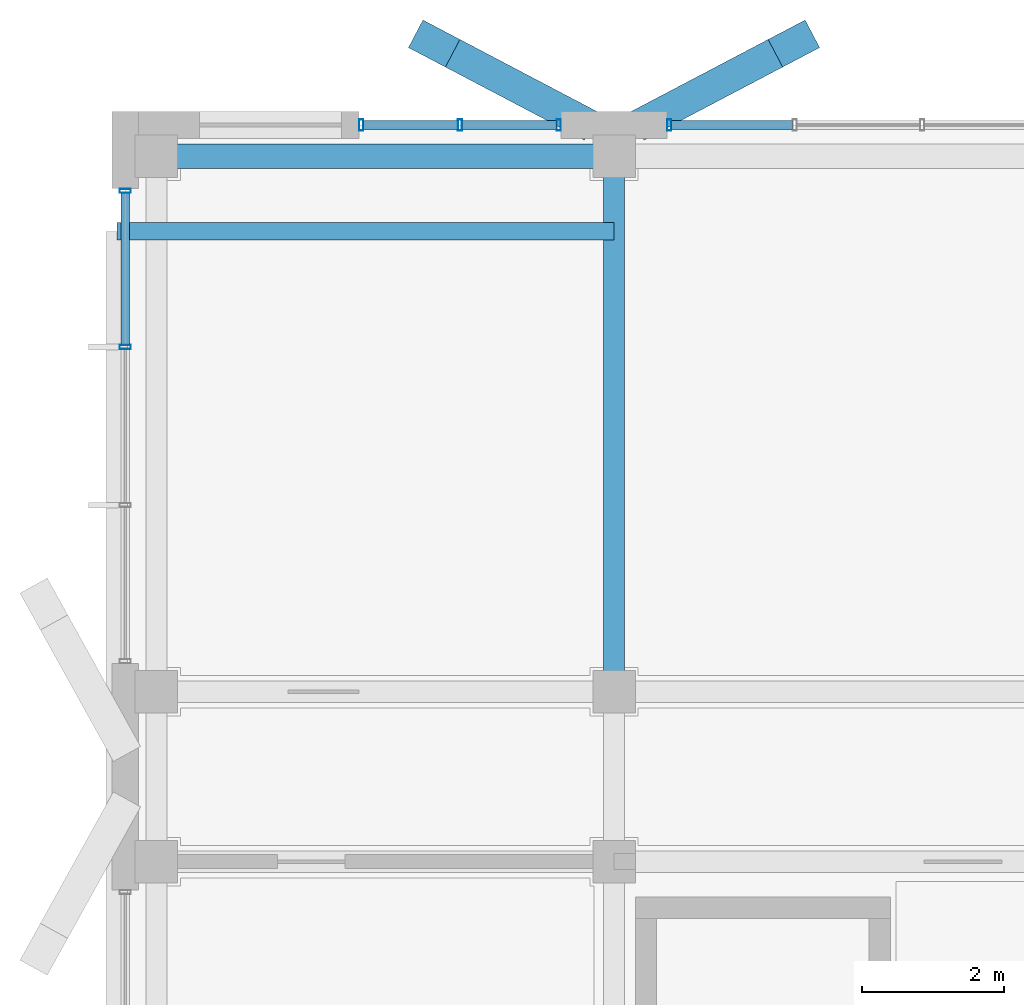
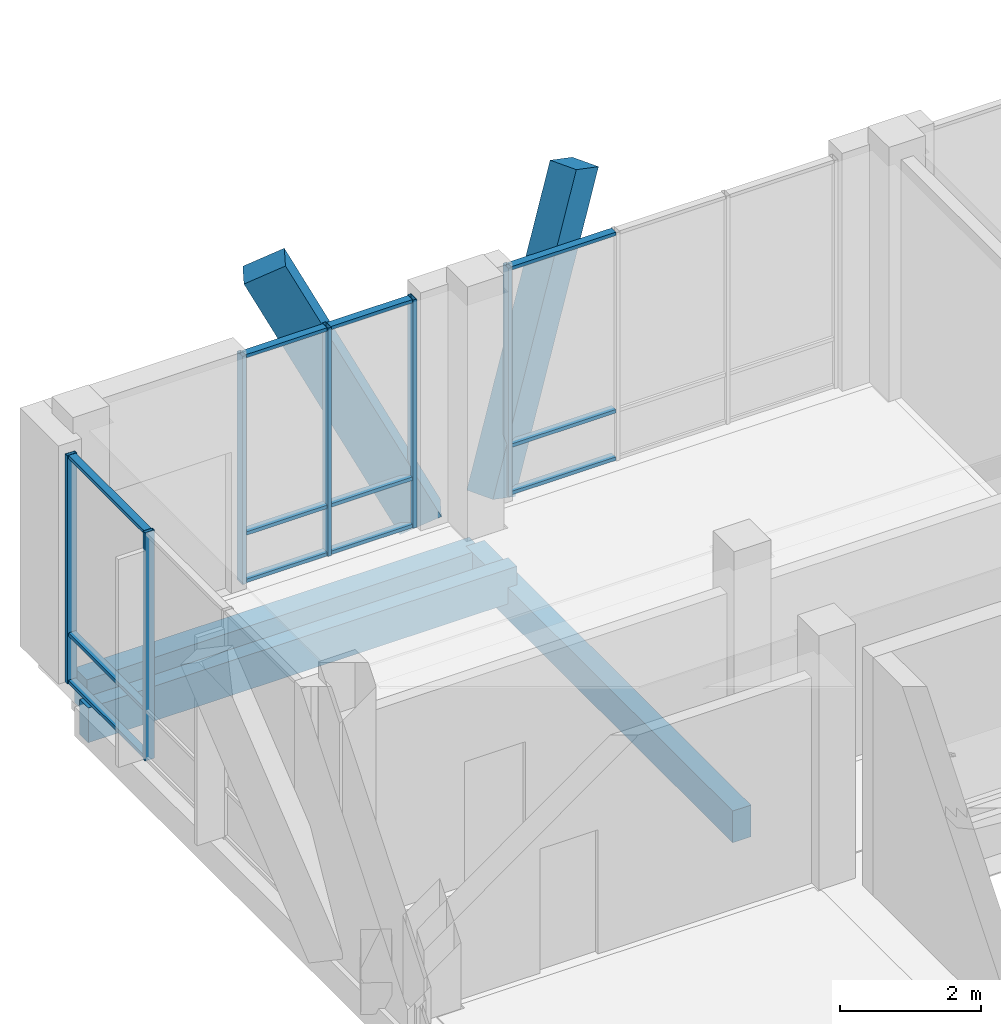
# One storey, part 105 of 233: 20 members, 3 beams, 3 elements without a shape of their own.
"""IFC4 building model written with IfcOpenShell, lengths in metres."""

import ifcopenshell
import ifcopenshell.guid

model = None  # the IFC model being written
_history = None  # IfcOwnerHistory: only IFC2X3 demands one
_inside = {}  # id of a spatial element -> (the spatial element, [elements in it])
_under = {}  # id of a project, library or spatial element -> (it, [spatial elements below it])
_declared = {}  # id of a project -> (the project, [libraries it declares])
_typed = {}  # id of a type object -> (the type object, [elements of that type])
_made_of = {}  # id of a material, layer set ... -> (it, [elements and type objects made of it])


def new_model(schema):
    """Start an empty IFC model of exactly this schema.

    Asked for "IFC4X3", IfcOpenShell would pick the latest addendum, in which some entities
    have other attributes; the version numbers below select the first issue.
    IFC2X3 requires an IfcOwnerHistory on every rooted entity: one is made here for all.
    """
    global model, _history
    if schema == "IFC4X3":
        model = ifcopenshell.file(schema_version=(4, 3, 0, 0))
    else:
        model = ifcopenshell.file(schema=schema)
    _inside.clear()
    _under.clear()
    _declared.clear()
    _typed.clear()
    _made_of.clear()
    _history = None
    if model.schema == "IFC2X3":
        org = make("IfcOrganization", Name="unknown")
        user = make(
            "IfcPersonAndOrganization",
            ThePerson=make("IfcPerson", FamilyName="unknown"),
            TheOrganization=org,
        )
        app = make(
            "IfcApplication",
            ApplicationDeveloper=org,
            Version="unknown",
            ApplicationFullName="unknown",
            ApplicationIdentifier="unknown",
        )
        _history = make(
            "IfcOwnerHistory",
            OwningUser=user,
            OwningApplication=app,
            ChangeAction="ADDED",
            CreationDate=0,
        )
    return model


def make(cls, **values):
    """One entity of the class cls with the attributes given. An attribute that is None is left unset."""
    return model.create_entity(
        cls, **{name: value for name, value in values.items() if value is not None}
    )


def rooted(cls, **values):
    """An entity with a GlobalId (a new one), such as an element, a storey or a relation."""
    return make(cls, GlobalId=ifcopenshell.guid.new(), OwnerHistory=_history, **values)


def si_unit(unit_type, name, prefix=None):
    """IfcSIUnit, for example si_unit("LENGTHUNIT", "METRE", prefix="MILLI")."""
    return make("IfcSIUnit", UnitType=unit_type, Prefix=prefix, Name=name)


def assignment(units):
    """IfcUnitAssignment: the units of a project."""
    return None if units is None else make("IfcUnitAssignment", Units=units)


def point(xyz):
    """IfcCartesianPoint."""
    return None if xyz is None else make("IfcCartesianPoint", Coordinates=xyz)


def direction(xyz):
    """IfcDirection."""
    return None if xyz is None else make("IfcDirection", DirectionRatios=xyz)


def frame(location, z_axis=None, x_axis=None):
    """IfcAxis2Placement3D, a coordinate frame: its origin and axes. An axis left out is left unset."""
    return make(
        "IfcAxis2Placement3D",
        Location=point(location),
        Axis=direction(z_axis),
        RefDirection=direction(x_axis),
    )


def frame_2d(location, x_axis=None):
    """IfcAxis2Placement2D, a coordinate frame in the plane: its origin and x axis."""
    return make(
        "IfcAxis2Placement2D", Location=point(location), RefDirection=direction(x_axis)
    )


def origin():
    """The frame at (0, 0, 0) with its axes left unset."""
    return frame((0.0, 0.0, 0.0))


def origin_2d():
    """The frame at (0, 0) in the plane with its x axis left unset."""
    return frame_2d((0.0, 0.0))


def place(relative_to, where):
    """IfcLocalPlacement: puts the frame where relative to a parent placement (None: the world)."""
    return make(
        "IfcLocalPlacement", PlacementRelTo=relative_to, RelativePlacement=where
    )


def context(
    kind, dimensions, precision=None, world=None, true_north=None, identifier=None
):
    """IfcGeometricRepresentationContext, for example the 3D "Model" context."""
    return make(
        "IfcGeometricRepresentationContext",
        ContextIdentifier=identifier,
        ContextType=kind,
        CoordinateSpaceDimension=dimensions,
        Precision=precision,
        WorldCoordinateSystem=world,
        TrueNorth=true_north,
    )


def subcontext(parent, identifier, kind, view, scale=None):
    """IfcGeometricRepresentationSubContext, for example "Body" below "Model"."""
    return make(
        "IfcGeometricRepresentationSubContext",
        ContextIdentifier=identifier,
        ContextType=kind,
        ParentContext=parent,
        TargetScale=scale,
        TargetView=view,
    )


def project(units=None, contexts=None):
    """IfcProject with its units and contexts."""
    return rooted(
        "IfcProject",
        Name="project",
        RepresentationContexts=contexts,
        UnitsInContext=assignment(units),
    )


def spatial(cls, under=None, at=None, **own):
    """A site, building, storey or space (cls), placed at a placement, below another one or the project."""
    s = rooted(cls, ObjectPlacement=at, **own)
    if under is not None:
        _under.setdefault(under.id(), (under, []))[1].append(s)
    return s


def profile(cls, at=None, kind="AREA", **sizes):
    """A parametric profile (cls). Its sizes go by their IFC names, for example OverallWidth=200.0."""
    return make(cls, ProfileType=kind, Position=at, **sizes)


def rectangle(**sizes):
    """IfcRectangleProfileDef."""
    return profile("IfcRectangleProfileDef", **sizes)


def hollow_rectangle(**sizes):
    """IfcRectangleHollowProfileDef."""
    return profile("IfcRectangleHollowProfileDef", **sizes)


def extrude(swept, where, along, depth):
    """IfcExtrudedAreaSolid: the profile swept, set in the frame where, extruded along a direction by depth."""
    return make(
        "IfcExtrudedAreaSolid",
        SweptArea=swept,
        Position=where,
        ExtrudedDirection=direction(along),
        Depth=depth,
    )


def shape(context_of_items, identifier, shape_type, items):
    """IfcShapeRepresentation: the items that make up one representation, for example the "Body"."""
    return make(
        "IfcShapeRepresentation",
        ContextOfItems=context_of_items,
        RepresentationIdentifier=identifier,
        RepresentationType=shape_type,
        Items=items,
    )


def material(Name=None, Category=None):
    """IfcMaterial."""
    return make("IfcMaterial", Name=Name, Category=Category)


def material_profile(
    of_material, cross_section, Name=None, Category=None, Priority=None
):
    """IfcMaterialProfile: a cross section and its material."""
    return make(
        "IfcMaterialProfile",
        Name=Name,
        Material=of_material,
        Profile=cross_section,
        Priority=Priority,
        Category=Category,
    )


def profile_set(profiles, Name=None, composite=None):
    """IfcMaterialProfileSet."""
    return make(
        "IfcMaterialProfileSet",
        Name=Name,
        MaterialProfiles=profiles,
        CompositeProfile=composite,
    )


def made_of(thing, what):
    """Note that an element or type object is made of a material, layer set ...; save() writes the relation."""
    if what is not None:
        _made_of.setdefault(what.id(), (what, []))[1].append(thing)
    return thing


def type_object(cls, material=None, **own):
    """A type object (cls), such as IfcWallType, which elements share."""
    return made_of(rooted(cls, **own), material)


def element(
    cls,
    number,
    at=None,
    inside=None,
    cuts=None,
    type_object=None,
    material=None,
    context=None,
    identifier="Body",
    shape_type=None,
    held_by="IfcProductDefinitionShape",
    body=None,
    shapes=None,
    **own,
):
    """One element of the class cls, such as IfcWall. Its Tag is "e" and its number.

    at: its placement. inside: the storey or other place that contains it. cuts: it is an
    opening in that element (IfcRelVoidsElement). A single representation is given by context,
    identifier, shape_type and body (its items); several are given by shapes. held_by: the class
    of the entity that holds the representations. save() writes the other relations.
    """
    e = rooted(cls, Tag="e%d" % number, ObjectPlacement=at, **own)
    if body is not None:
        shapes = [shape(context, identifier, shape_type, body)]
    if shapes is not None:
        e.Representation = make(held_by, Representations=shapes)
    if inside is not None:
        _inside.setdefault(inside.id(), (inside, []))[1].append(e)
    if cuts is not None:
        rooted(
            "IfcRelVoidsElement", RelatingBuildingElement=cuts, RelatedOpeningElement=e
        )
    if type_object is not None:
        _typed.setdefault(type_object.id(), (type_object, []))[1].append(e)
    return made_of(e, material)


def aggregate(whole, parts):
    """IfcRelAggregates: a whole, such as a stair, and the parts it consists of."""
    return rooted("IfcRelAggregates", RelatingObject=whole, RelatedObjects=parts)


def save(model, path):
    """Write the relations noted so far, then the file.

    IfcRelAggregates (storeys below a building ...), IfcRelContainedInSpatialStructure (elements
    in a storey), IfcRelDefinesByType, IfcRelAssociatesMaterial and IfcRelDeclares: one each for
    every whole, place, type object, material and project.
    """
    for whole, parts in _under.values():
        aggregate(whole, parts)
    for where, things in _inside.values():
        rooted(
            "IfcRelContainedInSpatialStructure",
            RelatedElements=things,
            RelatingStructure=where,
        )
    for kind, things in _typed.values():
        rooted("IfcRelDefinesByType", RelatedObjects=things, RelatingType=kind)
    for what, things in _made_of.values():
        rooted("IfcRelAssociatesMaterial", RelatedObjects=things, RelatingMaterial=what)
    for by, libraries in _declared.values():
        rooted("IfcRelDeclares", RelatingContext=by, RelatedDefinitions=libraries)
    model.write(path)


model = new_model("IFC4")

# Units and contexts
model_context = context("Model", 3, precision=1e-05, world=origin(), true_north=direction((0.0, 1.0)))
body_context = subcontext(model_context, "Body", "Model", "MODEL_VIEW")
ifc_project = project(units=[si_unit("LENGTHUNIT", "METRE"), si_unit("AREAUNIT", "SQUARE_METRE"), si_unit("VOLUMEUNIT", "CUBIC_METRE"), si_unit("PLANEANGLEUNIT", "RADIAN"), si_unit("MASSUNIT", "GRAM", prefix="KILO")], contexts=[model_context])

# Site, building, storey
site_placement = place(None, origin())
site = spatial("IfcSite", under=ifc_project, at=site_placement, CompositionType="ELEMENT")
building_placement = place(site_placement, origin())
building = spatial("IfcBuilding", under=site, at=building_placement, Name="Zavelmont Quarter", CompositionType="ELEMENT")
storey_placement = place(building_placement, origin())
storey = spatial("IfcBuildingStorey", under=building, at=storey_placement, Name="L00", CompositionType="ELEMENT", Elevation=0.0)

# Beams
ifc_material_1 = material(Name="Concrete C35/45", Category="concrete")
ifc_material_profile_1 = material_profile(ifc_material_1, rectangle(XDim=0.35009765625, YDim=0.60009765625, at=origin_2d()), Name="RC350X600")
ifc_profile_set_1 = profile_set([ifc_material_profile_1], Name="Concrete C35/45")
beam_type_1 = type_object("IfcBeamType", Name="BM01", PredefinedType="SPANDREL", material=ifc_profile_set_1)
beam_1_placement = place(storey_placement, frame((0.43994140625, 115.56005859375, -0.6201171875), z_axis=(1.0, 0.0, 0.0), x_axis=(0.0, 1.0, 0.0)))
element("IfcBeam", 1, at=beam_1_placement, inside=storey, type_object=beam_type_1, Name="L00 beam BM01 1/S to 2/S", PredefinedType="SPANDREL", context=body_context, shape_type="SweptSolid", body=[
    extrude(rectangle(XDim=0.35009765625, YDim=0.60009765625, at=origin_2d()), origin(), (0.0, 0.0, 1.0), 6.4599609375),
])
ifc_material_profile_2 = material_profile(ifc_material_1, rectangle(XDim=0.300048828125, YDim=0.550048828125, at=origin_2d()), Name="RC300X550")
ifc_profile_set_2 = profile_set([ifc_material_profile_2], Name="Concrete C35/45")
beam_type_2 = type_object("IfcBeamType", Name="BM02", PredefinedType="SPANDREL", material=ifc_profile_set_2)
beam_2_placement = place(storey_placement, frame((6.89990234375, 108.0, -0.594970703125), z_axis=(0.0, 1.0, 0.0), x_axis=(-1.0, 0.0, 0.0)))
element("IfcBeam", 2, at=beam_2_placement, inside=storey, type_object=beam_type_2, Name="L00 beam BM02 2/R to 2/S", PredefinedType="SPANDREL", context=body_context, shape_type="SweptSolid", body=[
    extrude(rectangle(XDim=0.300048828125, YDim=0.550048828125, at=origin_2d()), origin(), (0.0, 0.0, 1.0), 7.56005859375),
])
ifc_material_2 = material(Name="Concrete C40/50", Category="concrete")
ifc_material_profile_3 = material_profile(ifc_material_2, rectangle(XDim=0.25, YDim=0.60009765625, at=origin_2d()), Name="RC250X600")
ifc_profile_set_3 = profile_set([ifc_material_profile_3], Name="Concrete C40/50")
beam_type_3 = type_object("IfcBeamType", Name="BM18", PredefinedType="BEAM", material=ifc_profile_set_3)
beam_3_placement = place(storey_placement, frame((6.89990234375, 114.5, -0.300048828125), z_axis=(-1.0, 0.0, 0.0), x_axis=(0.0, -1.0, 0.0)))
element("IfcBeam", 3, at=beam_3_placement, inside=storey, type_object=beam_type_3, Name="L00 beam BM18 2/S to 1/S", PredefinedType="BEAM", context=body_context, shape_type="SweptSolid", body=[
    extrude(rectangle(XDim=0.25, YDim=0.60009765625, at=origin_2d()), origin(), (0.0, 0.0, 1.0), 7.02001953125),
])

# Curtain wall, members
ifc_material_3 = material(Name="Thermally broken aluminium and double low-E safety glazing", Category="aluminium")
curtain_wall_type_1 = type_object("IfcCurtainWallType", Name="CW-285X395", PredefinedType="NOTDEFINED", material=ifc_material_3)
curtain_wall_1_placement = place(storey_placement, origin())
curtain_wall_1 = element("IfcCurtainWall", 4, at=curtain_wall_1_placement, inside=storey, type_object=curtain_wall_type_1, Name="L00 unitised curtain wall CW-285X395", PredefinedType="NOTDEFINED")
ifc_material_4 = material(Name="Powder-coated aluminium EN AW-6063-T6", Category="aluminium")
ifc_material_profile_4 = material_profile(ifc_material_4, hollow_rectangle(XDim=0.06005859375, YDim=0.159912109375, WallThickness=0.00390625, at=origin_2d()), Name="CWM60X160")
ifc_profile_set_4 = profile_set([ifc_material_profile_4], Name="Powder-coated aluminium EN AW-6063-T6")
member_type_1 = type_object("IfcMemberType", Name="CWM01", PredefinedType="MULLION", material=ifc_profile_set_4)
member_1_placement = place(storey_placement, frame((3.330078125, 116.0, 0.0), z_axis=(0.0, 0.0, 1.0), x_axis=(1.0, 0.0, 0.0)))
member_1 = element("IfcMember", 5, at=member_1_placement, type_object=member_type_1, Name="CW-285X395 mullion 1", PredefinedType="MULLION", context=body_context, shape_type="SweptSolid", body=[
    extrude(hollow_rectangle(XDim=0.06005859375, YDim=0.159912109375, WallThickness=0.00390625, at=origin_2d()), origin(), (0.0, 0.0, 1.0), 3.949951171875),
])
member_2_placement = place(storey_placement, frame((4.72509765625, 116.0, 0.0), z_axis=(0.0, 0.0, 1.0), x_axis=(1.0, 0.0, 0.0)))
member_2 = element("IfcMember", 6, at=member_2_placement, type_object=member_type_1, Name="CW-285X395 mullion 2", PredefinedType="MULLION", context=body_context, shape_type="SweptSolid", body=[
    extrude(hollow_rectangle(XDim=0.06005859375, YDim=0.159912109375, WallThickness=0.00390625, at=origin_2d()), origin(), (0.0, 0.0, 1.0), 3.949951171875),
])
member_3_placement = place(storey_placement, frame((6.1201171875, 116.0, 0.0), z_axis=(0.0, 0.0, 1.0), x_axis=(1.0, 0.0, 0.0)))
member_3 = element("IfcMember", 7, at=member_3_placement, type_object=member_type_1, Name="CW-285X395 mullion 3", PredefinedType="MULLION", context=body_context, shape_type="SweptSolid", body=[
    extrude(hollow_rectangle(XDim=0.06005859375, YDim=0.159912109375, WallThickness=0.00390625, at=origin_2d()), origin(), (0.0, 0.0, 1.0), 3.949951171875),
])

# Curtain wall, member
curtain_wall_type_2 = type_object("IfcCurtainWallType", Name="CW-540X395", PredefinedType="NOTDEFINED", material=ifc_material_3)
curtain_wall_2_placement = place(storey_placement, origin())
curtain_wall_2 = element("IfcCurtainWall", 8, at=curtain_wall_2_placement, inside=storey, type_object=curtain_wall_type_2, Name="L00 unitised curtain wall CW-540X395", PredefinedType="NOTDEFINED")
member_4_placement = place(storey_placement, frame((7.679931640625, 116.0, 0.0), z_axis=(0.0, 0.0, 1.0), x_axis=(1.0, 0.0, 0.0)))
member_4 = element("IfcMember", 9, at=member_4_placement, type_object=member_type_1, Name="CW-540X395 mullion 1", PredefinedType="MULLION", context=body_context, shape_type="SweptSolid", body=[
    extrude(hollow_rectangle(XDim=0.06005859375, YDim=0.159912109375, WallThickness=0.00390625, at=origin_2d()), origin(), (0.0, 0.0, 1.0), 3.949951171875),
])

# Curtain wall, members
curtain_wall_type_3 = type_object("IfcCurtainWallType", Name="CW-670X395", PredefinedType="NOTDEFINED", material=ifc_material_3)
curtain_wall_3_placement = place(storey_placement, origin())
curtain_wall_3 = element("IfcCurtainWall", 10, at=curtain_wall_3_placement, inside=storey, type_object=curtain_wall_type_3, Name="L00 unitised curtain wall CW-670X395", PredefinedType="NOTDEFINED")
member_5_placement = place(storey_placement, frame((0.0, 112.86669921875, 0.0), z_axis=(0.0, 0.0, 1.0), x_axis=(0.0, 1.0, 0.0)))
member_5 = element("IfcMember", 11, at=member_5_placement, type_object=member_type_1, Name="CW-670X395 mullion 3", PredefinedType="MULLION", context=body_context, shape_type="SweptSolid", body=[
    extrude(hollow_rectangle(XDim=0.06005859375, YDim=0.159912109375, WallThickness=0.00390625, at=origin_2d()), origin(), (0.0, 0.0, 1.0), 3.949951171875),
])
member_6_placement = place(storey_placement, frame((0.0, 115.070068359375, 0.0), z_axis=(0.0, 0.0, 1.0), x_axis=(0.0, 1.0, 0.0)))
member_6 = element("IfcMember", 12, at=member_6_placement, type_object=member_type_1, Name="CW-670X395 mullion 4", PredefinedType="MULLION", context=body_context, shape_type="SweptSolid", body=[
    extrude(hollow_rectangle(XDim=0.06005859375, YDim=0.159912109375, WallThickness=0.00390625, at=origin_2d()), origin(), (0.0, 0.0, 1.0), 3.949951171875),
])

# Member
ifc_material_profile_5 = material_profile(ifc_material_4, hollow_rectangle(XDim=0.1201171875, YDim=0.06005859375, WallThickness=0.00390625, at=origin_2d()), Name="CWT60X120")
ifc_profile_set_5 = profile_set([ifc_material_profile_5], Name="Powder-coated aluminium EN AW-6063-T6")
member_type_2 = type_object("IfcMemberType", Name="CWT01", PredefinedType="NOTDEFINED", material=ifc_profile_set_5)
member_7_placement = place(storey_placement, frame((3.360107421875, 116.0, 0.030029296875), z_axis=(1.0, 0.0, 0.0), x_axis=(0.0, 1.0, 0.0)))
member_7 = element("IfcMember", 13, at=member_7_placement, type_object=member_type_2, Name="CW-285X395 transom 1.1", ObjectType="TRANSOM", PredefinedType="USERDEFINED", context=body_context, shape_type="SweptSolid", body=[
    extrude(hollow_rectangle(XDim=0.1201171875, YDim=0.06005859375, WallThickness=0.00390625, at=origin_2d()), origin(), (0.0, 0.0, 1.0), 1.3349609375),
])

member_8_placement = place(storey_placement, frame((3.360107421875, 116.0, 0.85009765625), z_axis=(1.0, 0.0, 0.0), x_axis=(0.0, 1.0, 0.0)))
member_8 = element("IfcMember", 14, at=member_8_placement, type_object=member_type_2, Name="CW-285X395 transom 1.2", ObjectType="TRANSOM", PredefinedType="USERDEFINED", context=body_context, shape_type="SweptSolid", body=[
    extrude(hollow_rectangle(XDim=0.1201171875, YDim=0.06005859375, WallThickness=0.00390625, at=origin_2d()), origin(), (0.0, 0.0, 1.0), 1.3349609375),
])

member_9_placement = place(storey_placement, frame((3.360107421875, 116.0, 3.919921875), z_axis=(1.0, 0.0, 0.0), x_axis=(0.0, 1.0, 0.0)))
member_9 = element("IfcMember", 15, at=member_9_placement, type_object=member_type_2, Name="CW-285X395 transom 1.3", ObjectType="TRANSOM", PredefinedType="USERDEFINED", context=body_context, shape_type="SweptSolid", body=[
    extrude(hollow_rectangle(XDim=0.1201171875, YDim=0.06005859375, WallThickness=0.00390625, at=origin_2d()), origin(), (0.0, 0.0, 1.0), 1.3349609375),
])

member_10_placement = place(storey_placement, frame((4.7548828125, 116.0, 0.030029296875), z_axis=(1.0, 0.0, 0.0), x_axis=(0.0, 1.0, 0.0)))
member_10 = element("IfcMember", 16, at=member_10_placement, type_object=member_type_2, Name="CW-285X395 transom 2.1", ObjectType="TRANSOM", PredefinedType="USERDEFINED", context=body_context, shape_type="SweptSolid", body=[
    extrude(hollow_rectangle(XDim=0.1201171875, YDim=0.06005859375, WallThickness=0.00390625, at=origin_2d()), origin(), (0.0, 0.0, 1.0), 1.335205078125),
])

member_11_placement = place(storey_placement, frame((4.7548828125, 116.0, 0.85009765625), z_axis=(1.0, 0.0, 0.0), x_axis=(0.0, 1.0, 0.0)))
member_11 = element("IfcMember", 17, at=member_11_placement, type_object=member_type_2, Name="CW-285X395 transom 2.2", ObjectType="TRANSOM", PredefinedType="USERDEFINED", context=body_context, shape_type="SweptSolid", body=[
    extrude(hollow_rectangle(XDim=0.1201171875, YDim=0.06005859375, WallThickness=0.00390625, at=origin_2d()), origin(), (0.0, 0.0, 1.0), 1.335205078125),
])

member_12_placement = place(storey_placement, frame((4.7548828125, 116.0, 3.919921875), z_axis=(1.0, 0.0, 0.0), x_axis=(0.0, 1.0, 0.0)))
member_12 = element("IfcMember", 18, at=member_12_placement, type_object=member_type_2, Name="CW-285X395 transom 2.3", ObjectType="TRANSOM", PredefinedType="USERDEFINED", context=body_context, shape_type="SweptSolid", body=[
    extrude(hollow_rectangle(XDim=0.1201171875, YDim=0.06005859375, WallThickness=0.00390625, at=origin_2d()), origin(), (0.0, 0.0, 1.0), 1.335205078125),
])

aggregate(curtain_wall_1, [member_1, member_2, member_3, member_7, member_8, member_9, member_10, member_11, member_12])

member_13_placement = place(storey_placement, frame((7.7099609375, 116.0, 0.030029296875), z_axis=(1.0, 0.0, 0.0), x_axis=(0.0, 1.0, 0.0)))
member_13 = element("IfcMember", 19, at=member_13_placement, type_object=member_type_2, Name="CW-540X395 transom 1.1", ObjectType="TRANSOM", PredefinedType="USERDEFINED", context=body_context, shape_type="SweptSolid", body=[
    extrude(hollow_rectangle(XDim=0.1201171875, YDim=0.06005859375, WallThickness=0.00390625, at=origin_2d()), origin(), (0.0, 0.0, 1.0), 1.7099609375),
])

member_14_placement = place(storey_placement, frame((7.7099609375, 116.0, 0.85009765625), z_axis=(1.0, 0.0, 0.0), x_axis=(0.0, 1.0, 0.0)))
member_14 = element("IfcMember", 20, at=member_14_placement, type_object=member_type_2, Name="CW-540X395 transom 1.2", ObjectType="TRANSOM", PredefinedType="USERDEFINED", context=body_context, shape_type="SweptSolid", body=[
    extrude(hollow_rectangle(XDim=0.1201171875, YDim=0.06005859375, WallThickness=0.00390625, at=origin_2d()), origin(), (0.0, 0.0, 1.0), 1.7099609375),
])

member_15_placement = place(storey_placement, frame((7.7099609375, 116.0, 3.919921875), z_axis=(1.0, 0.0, 0.0), x_axis=(0.0, 1.0, 0.0)))
member_15 = element("IfcMember", 21, at=member_15_placement, type_object=member_type_2, Name="CW-540X395 transom 1.3", ObjectType="TRANSOM", PredefinedType="USERDEFINED", context=body_context, shape_type="SweptSolid", body=[
    extrude(hollow_rectangle(XDim=0.1201171875, YDim=0.06005859375, WallThickness=0.00390625, at=origin_2d()), origin(), (0.0, 0.0, 1.0), 1.7099609375),
])

aggregate(curtain_wall_2, [member_4, member_13, member_14, member_15])

member_16_placement = place(storey_placement, frame((0.0, 112.896728515625, 0.030029296875), z_axis=(0.0, 1.0, 0.0), x_axis=(-1.0, 0.0, 0.0)))
member_16 = element("IfcMember", 22, at=member_16_placement, type_object=member_type_2, Name="CW-670X395 transom 3.1", ObjectType="TRANSOM", PredefinedType="USERDEFINED", context=body_context, shape_type="SweptSolid", body=[
    extrude(hollow_rectangle(XDim=0.1201171875, YDim=0.06005859375, WallThickness=0.00390625, at=origin_2d()), origin(), (0.0, 0.0, 1.0), 2.143310546875),
])

member_17_placement = place(storey_placement, frame((0.0, 112.896728515625, 0.85009765625), z_axis=(0.0, 1.0, 0.0), x_axis=(-1.0, 0.0, 0.0)))
member_17 = element("IfcMember", 23, at=member_17_placement, type_object=member_type_2, Name="CW-670X395 transom 3.2", ObjectType="TRANSOM", PredefinedType="USERDEFINED", context=body_context, shape_type="SweptSolid", body=[
    extrude(hollow_rectangle(XDim=0.1201171875, YDim=0.06005859375, WallThickness=0.00390625, at=origin_2d()), origin(), (0.0, 0.0, 1.0), 2.143310546875),
])

member_18_placement = place(storey_placement, frame((0.0, 112.896728515625, 3.919921875), z_axis=(0.0, 1.0, 0.0), x_axis=(-1.0, 0.0, 0.0)))
member_18 = element("IfcMember", 24, at=member_18_placement, type_object=member_type_2, Name="CW-670X395 transom 3.3", ObjectType="TRANSOM", PredefinedType="USERDEFINED", context=body_context, shape_type="SweptSolid", body=[
    extrude(hollow_rectangle(XDim=0.1201171875, YDim=0.06005859375, WallThickness=0.00390625, at=origin_2d()), origin(), (0.0, 0.0, 1.0), 2.143310546875),
])

aggregate(curtain_wall_3, [member_5, member_6, member_16, member_17, member_18])

# Members
ifc_material_5 = material(Name="White architectural precast concrete C40/50", Category="concrete")
ifc_material_profile_6 = material_profile(ifc_material_5, rectangle(XDim=0.43994140625, YDim=0.659912109375, at=origin_2d()), Name="PCR320X480")
ifc_profile_set_6 = profile_set([ifc_material_profile_6], Name="White architectural precast concrete C40/50")
member_type_3 = type_object("IfcMemberType", Name="VR01M", PredefinedType="CHORD", material=ifc_profile_set_6)
for number, where, z_axis, x_axis, name in (
    (25, (6.320068359375, 116.1201171875, 0.0), (-0.397791991409, 0.20908244483, 0.893334239148), (-0.465255384016, -0.885176495194, 0.0), "L00 member VR01M 2/S to 2/S"),
    (26, (7.47998046875, 116.1201171875, 0.0), (0.397791991409, 0.20908244483, 0.893334239148), (-0.465255384016, 0.885176495194, 0.0), "L00 member VR01M 2/S to 2/S"),
):
    element("IfcMember", number, at=place(storey_placement, frame(where, z_axis=z_axis, x_axis=x_axis)), inside=storey, type_object=member_type_3, Name=name, PredefinedType="CHORD", context=body_context, shape_type="SweptSolid", body=[
        extrude(rectangle(XDim=0.43994140625, YDim=0.659912109375, at=origin_2d()), origin(), (0.0, 0.0, 1.0), 4.92529296875),
    ])

save(model, "model.ifc")
